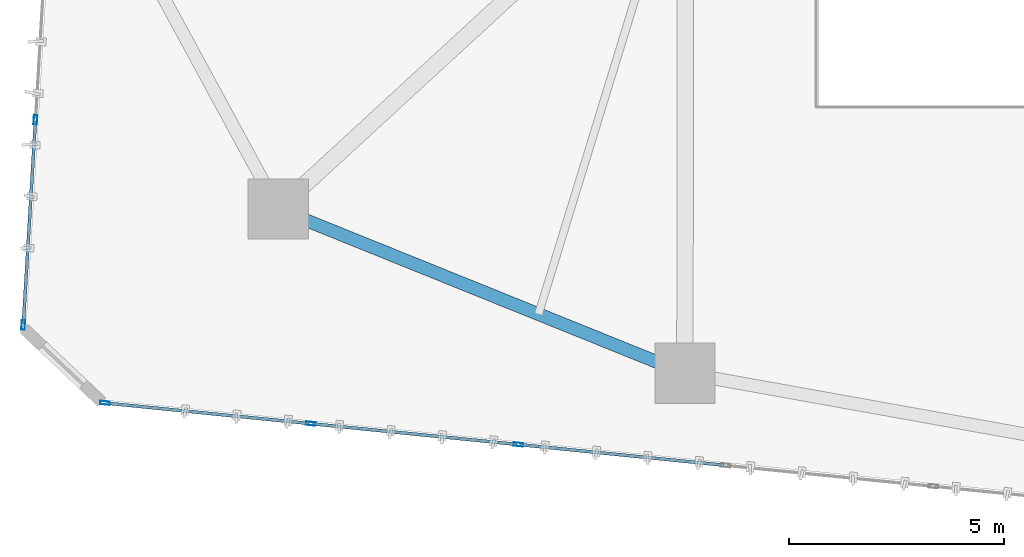
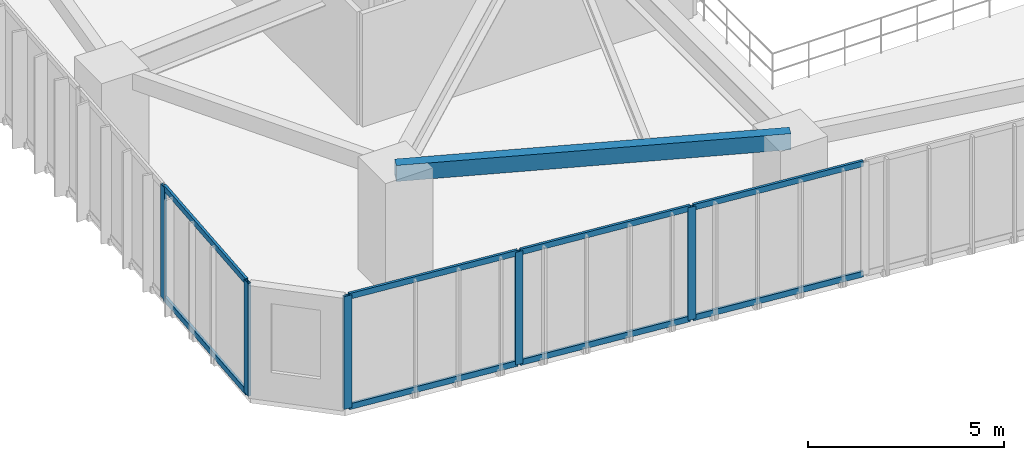
# One storey, part 2 of 24: 13 members, 1 beam, 2 elements without a shape of their own.
"""IFC4 building model written with IfcOpenShell, lengths in metres."""

import ifcopenshell
import ifcopenshell.guid

model = None  # the IFC model being written
_history = None  # IfcOwnerHistory: only IFC2X3 demands one
_inside = {}  # id of a spatial element -> (the spatial element, [elements in it])
_under = {}  # id of a project, library or spatial element -> (it, [spatial elements below it])
_declared = {}  # id of a project -> (the project, [libraries it declares])
_typed = {}  # id of a type object -> (the type object, [elements of that type])
_made_of = {}  # id of a material, layer set ... -> (it, [elements and type objects made of it])


def new_model(schema):
    """Start an empty IFC model of exactly this schema.

    Asked for "IFC4X3", IfcOpenShell would pick the latest addendum, in which some entities
    have other attributes; the version numbers below select the first issue.
    IFC2X3 requires an IfcOwnerHistory on every rooted entity: one is made here for all.
    """
    global model, _history
    if schema == "IFC4X3":
        model = ifcopenshell.file(schema_version=(4, 3, 0, 0))
    else:
        model = ifcopenshell.file(schema=schema)
    _inside.clear()
    _under.clear()
    _declared.clear()
    _typed.clear()
    _made_of.clear()
    _history = None
    if model.schema == "IFC2X3":
        org = make("IfcOrganization", Name="unknown")
        user = make(
            "IfcPersonAndOrganization",
            ThePerson=make("IfcPerson", FamilyName="unknown"),
            TheOrganization=org,
        )
        app = make(
            "IfcApplication",
            ApplicationDeveloper=org,
            Version="unknown",
            ApplicationFullName="unknown",
            ApplicationIdentifier="unknown",
        )
        _history = make(
            "IfcOwnerHistory",
            OwningUser=user,
            OwningApplication=app,
            ChangeAction="ADDED",
            CreationDate=0,
        )
    return model


def make(cls, **values):
    """One entity of the class cls with the attributes given. An attribute that is None is left unset."""
    return model.create_entity(
        cls, **{name: value for name, value in values.items() if value is not None}
    )


def rooted(cls, **values):
    """An entity with a GlobalId (a new one), such as an element, a storey or a relation."""
    return make(cls, GlobalId=ifcopenshell.guid.new(), OwnerHistory=_history, **values)


def si_unit(unit_type, name, prefix=None):
    """IfcSIUnit, for example si_unit("LENGTHUNIT", "METRE", prefix="MILLI")."""
    return make("IfcSIUnit", UnitType=unit_type, Prefix=prefix, Name=name)


def assignment(units):
    """IfcUnitAssignment: the units of a project."""
    return None if units is None else make("IfcUnitAssignment", Units=units)


def point(xyz):
    """IfcCartesianPoint."""
    return None if xyz is None else make("IfcCartesianPoint", Coordinates=xyz)


def direction(xyz):
    """IfcDirection."""
    return None if xyz is None else make("IfcDirection", DirectionRatios=xyz)


def frame(location, z_axis=None, x_axis=None):
    """IfcAxis2Placement3D, a coordinate frame: its origin and axes. An axis left out is left unset."""
    return make(
        "IfcAxis2Placement3D",
        Location=point(location),
        Axis=direction(z_axis),
        RefDirection=direction(x_axis),
    )


def frame_2d(location, x_axis=None):
    """IfcAxis2Placement2D, a coordinate frame in the plane: its origin and x axis."""
    return make(
        "IfcAxis2Placement2D", Location=point(location), RefDirection=direction(x_axis)
    )


def origin():
    """The frame at (0, 0, 0) with its axes left unset."""
    return frame((0.0, 0.0, 0.0))


def origin_2d():
    """The frame at (0, 0) in the plane with its x axis left unset."""
    return frame_2d((0.0, 0.0))


def place(relative_to, where):
    """IfcLocalPlacement: puts the frame where relative to a parent placement (None: the world)."""
    return make(
        "IfcLocalPlacement", PlacementRelTo=relative_to, RelativePlacement=where
    )


def context(
    kind, dimensions, precision=None, world=None, true_north=None, identifier=None
):
    """IfcGeometricRepresentationContext, for example the 3D "Model" context."""
    return make(
        "IfcGeometricRepresentationContext",
        ContextIdentifier=identifier,
        ContextType=kind,
        CoordinateSpaceDimension=dimensions,
        Precision=precision,
        WorldCoordinateSystem=world,
        TrueNorth=true_north,
    )


def subcontext(parent, identifier, kind, view, scale=None):
    """IfcGeometricRepresentationSubContext, for example "Body" below "Model"."""
    return make(
        "IfcGeometricRepresentationSubContext",
        ContextIdentifier=identifier,
        ContextType=kind,
        ParentContext=parent,
        TargetScale=scale,
        TargetView=view,
    )


def project(units=None, contexts=None):
    """IfcProject with its units and contexts."""
    return rooted(
        "IfcProject",
        Name="project",
        RepresentationContexts=contexts,
        UnitsInContext=assignment(units),
    )


def spatial(cls, under=None, at=None, **own):
    """A site, building, storey or space (cls), placed at a placement, below another one or the project."""
    s = rooted(cls, ObjectPlacement=at, **own)
    if under is not None:
        _under.setdefault(under.id(), (under, []))[1].append(s)
    return s


def profile(cls, at=None, kind="AREA", **sizes):
    """A parametric profile (cls). Its sizes go by their IFC names, for example OverallWidth=200.0."""
    return make(cls, ProfileType=kind, Position=at, **sizes)


def hollow_rectangle(**sizes):
    """IfcRectangleHollowProfileDef."""
    return profile("IfcRectangleHollowProfileDef", **sizes)


def extrude(swept, where, along, depth):
    """IfcExtrudedAreaSolid: the profile swept, set in the frame where, extruded along a direction by depth."""
    return make(
        "IfcExtrudedAreaSolid",
        SweptArea=swept,
        Position=where,
        ExtrudedDirection=direction(along),
        Depth=depth,
    )


def shape(context_of_items, identifier, shape_type, items):
    """IfcShapeRepresentation: the items that make up one representation, for example the "Body"."""
    return make(
        "IfcShapeRepresentation",
        ContextOfItems=context_of_items,
        RepresentationIdentifier=identifier,
        RepresentationType=shape_type,
        Items=items,
    )


def source(mapping_origin, context_of_items, identifier, shape_type, items):
    """IfcRepresentationMap: a shape defined once, which mapped items show again and again."""
    return make(
        "IfcRepresentationMap",
        MappingOrigin=mapping_origin,
        MappedRepresentation=shape(context_of_items, identifier, shape_type, items),
    )


def transform(
    local_origin,
    x_axis=None,
    y_axis=None,
    z_axis=None,
    scale=None,
    scale2=None,
    scale3=None,
    uniform=True,
):
    """IfcCartesianTransformationOperator3D, or its non-uniform kind. x_axis, y_axis, z_axis: its Axis1, 2, 3."""
    if uniform:
        return make(
            "IfcCartesianTransformationOperator3D",
            Axis1=direction(x_axis),
            Axis2=direction(y_axis),
            LocalOrigin=point(local_origin),
            Scale=scale,
            Axis3=direction(z_axis),
        )
    return make(
        "IfcCartesianTransformationOperator3DnonUniform",
        Axis1=direction(x_axis),
        Axis2=direction(y_axis),
        LocalOrigin=point(local_origin),
        Scale=scale,
        Axis3=direction(z_axis),
        Scale2=scale2,
        Scale3=scale3,
    )


def mapped(mapping_source, mapping_target):
    """IfcMappedItem: shows the shape of a source again, moved by a transform."""
    return make(
        "IfcMappedItem", MappingSource=mapping_source, MappingTarget=mapping_target
    )


def material(Name=None, Category=None):
    """IfcMaterial."""
    return make("IfcMaterial", Name=Name, Category=Category)


def layer(
    of_material, thickness, ventilated=None, Name=None, Category=None, Priority=None
):
    """IfcMaterialLayer: one layer of a wall or slab, of a material (None: an air gap)."""
    return make(
        "IfcMaterialLayer",
        Material=of_material,
        LayerThickness=thickness,
        IsVentilated=ventilated,
        Name=Name,
        Category=Category,
        Priority=Priority,
    )


def layer_set(layers, Name=None):
    """IfcMaterialLayerSet."""
    return make("IfcMaterialLayerSet", MaterialLayers=layers, LayerSetName=Name)


def material_profile(
    of_material, cross_section, Name=None, Category=None, Priority=None
):
    """IfcMaterialProfile: a cross section and its material."""
    return make(
        "IfcMaterialProfile",
        Name=Name,
        Material=of_material,
        Profile=cross_section,
        Priority=Priority,
        Category=Category,
    )


def profile_set(profiles, Name=None, composite=None):
    """IfcMaterialProfileSet."""
    return make(
        "IfcMaterialProfileSet",
        Name=Name,
        MaterialProfiles=profiles,
        CompositeProfile=composite,
    )


def made_of(thing, what):
    """Note that an element or type object is made of a material, layer set ...; save() writes the relation."""
    if what is not None:
        _made_of.setdefault(what.id(), (what, []))[1].append(thing)
    return thing


def type_object(cls, material=None, **own):
    """A type object (cls), such as IfcWallType, which elements share."""
    return made_of(rooted(cls, **own), material)


def type_shapes(of_type, sources):
    """Give a type object the sources (RepresentationMaps) that its elements show as mapped items."""
    of_type.RepresentationMaps = sources


def element(
    cls,
    number,
    at=None,
    inside=None,
    cuts=None,
    type_object=None,
    material=None,
    context=None,
    identifier="Body",
    shape_type=None,
    held_by="IfcProductDefinitionShape",
    body=None,
    shapes=None,
    **own,
):
    """One element of the class cls, such as IfcWall. Its Tag is "e" and its number.

    at: its placement. inside: the storey or other place that contains it. cuts: it is an
    opening in that element (IfcRelVoidsElement). A single representation is given by context,
    identifier, shape_type and body (its items); several are given by shapes. held_by: the class
    of the entity that holds the representations. save() writes the other relations.
    """
    e = rooted(cls, Tag="e%d" % number, ObjectPlacement=at, **own)
    if body is not None:
        shapes = [shape(context, identifier, shape_type, body)]
    if shapes is not None:
        e.Representation = make(held_by, Representations=shapes)
    if inside is not None:
        _inside.setdefault(inside.id(), (inside, []))[1].append(e)
    if cuts is not None:
        rooted(
            "IfcRelVoidsElement", RelatingBuildingElement=cuts, RelatedOpeningElement=e
        )
    if type_object is not None:
        _typed.setdefault(type_object.id(), (type_object, []))[1].append(e)
    return made_of(e, material)


def aggregate(whole, parts):
    """IfcRelAggregates: a whole, such as a stair, and the parts it consists of."""
    return rooted("IfcRelAggregates", RelatingObject=whole, RelatedObjects=parts)


def save(model, path):
    """Write the relations noted so far, then the file.

    IfcRelAggregates (storeys below a building ...), IfcRelContainedInSpatialStructure (elements
    in a storey), IfcRelDefinesByType, IfcRelAssociatesMaterial and IfcRelDeclares: one each for
    every whole, place, type object, material and project.
    """
    for whole, parts in _under.values():
        aggregate(whole, parts)
    for where, things in _inside.values():
        rooted(
            "IfcRelContainedInSpatialStructure",
            RelatedElements=things,
            RelatingStructure=where,
        )
    for kind, things in _typed.values():
        rooted("IfcRelDefinesByType", RelatedObjects=things, RelatingType=kind)
    for what, things in _made_of.values():
        rooted("IfcRelAssociatesMaterial", RelatedObjects=things, RelatingMaterial=what)
    for by, libraries in _declared.values():
        rooted("IfcRelDeclares", RelatingContext=by, RelatedDefinitions=libraries)
    model.write(path)


model = new_model("IFC4")

# Units and contexts
model_context = context("Model", 3, precision=1e-05, world=origin(), true_north=direction((0.0, 1.0)))
body_context = subcontext(model_context, "Body", "Model", "MODEL_VIEW")
ifc_project = project(units=[si_unit("LENGTHUNIT", "METRE"), si_unit("AREAUNIT", "SQUARE_METRE"), si_unit("VOLUMEUNIT", "CUBIC_METRE"), si_unit("PLANEANGLEUNIT", "RADIAN"), si_unit("MASSUNIT", "GRAM", prefix="KILO")], contexts=[model_context])

# Site, building, storey
site_placement = place(None, origin())
site = spatial("IfcSite", under=ifc_project, at=site_placement, CompositionType="ELEMENT")
building_placement = place(site_placement, origin())
building = spatial("IfcBuilding", under=site, at=building_placement, Name="Talar Marvaseh", CompositionType="ELEMENT")
storey_placement = place(building_placement, frame((0.0, 0.0, 73.39990234375)))
storey = spatial("IfcBuildingStorey", under=building, at=storey_placement, Name="L18", CompositionType="ELEMENT", Elevation=73.39990234375)

# Beam
ifc_material_1 = material(Name="Steel S355", Category="steel")
ifc_material_profile_1 = material_profile(ifc_material_1, hollow_rectangle(XDim=0.300048828125, YDim=0.5, WallThickness=0.02001953125, at=origin_2d()), Name="RHS500x300x20")
ifc_profile_set_1 = profile_set([ifc_material_profile_1], Name="Steel S355")
beam_type = type_object("IfcBeamType", Name="Zone 1 Perimeter Spandrel Beam RHS500x300x20", PredefinedType="SPANDREL", material=ifc_profile_set_1)
beam_placement = place(storey_placement, frame((18.68310546875, 12.97900390625, 3.27001953125), z_axis=(-0.927239278118, 0.374469386084, 0.0), x_axis=(-0.374469386084, -0.927239278118, 0.0)))
element("IfcBeam", 1, at=beam_placement, inside=storey, type_object=beam_type, Name="L18 Zone 1 Perimeter Spandrel Beam RHS500x300x20", PredefinedType="SPANDREL", context=body_context, shape_type="SweptSolid", body=[
    extrude(hollow_rectangle(XDim=0.300048828125, YDim=0.5, WallThickness=0.02001953125, at=origin_2d()), origin(), (0.0, 0.0, 1.0), 10.19287109375),
])

# Curtain wall, members
ifc_material_2 = material(Name="Architectural Aluminium", Category="aluminium")
ifc_layer = layer(ifc_material_2, 0.219970703125)
ifc_layer_set = layer_set([ifc_layer], Name="Architectural Aluminium")
curtain_wall_type = type_object("IfcCurtainWallType", Name="Unitised Low-E Museum Curtain Wall Z1", PredefinedType="NOTDEFINED", material=ifc_layer_set)
curtain_wall_1_placement = place(storey_placement, origin())
curtain_wall_1 = element("IfcCurtainWall", 2, at=curtain_wall_1_placement, inside=storey, type_object=curtain_wall_type, Name="L18 Unitised Low-E Museum Curtain Wall Z1", PredefinedType="NOTDEFINED")
ifc_material_profile_2 = material_profile(ifc_material_2, hollow_rectangle(XDim=0.080078125, YDim=0.219970703125, WallThickness=0.0048828125, at=origin_2d()), Name="RHS220x80x5")
ifc_profile_set_2 = profile_set([ifc_material_profile_2], Name="Architectural Aluminium")
member_type_1 = type_object("IfcMemberType", Name="Unitised Curtain Wall Heavy Mullion RHS220x80x5", PredefinedType="MULLION", material=ifc_profile_set_2)
shared_shape_1 = source(origin(), body_context, "Body", "SweptSolid", [
    extrude(hollow_rectangle(XDim=0.080078125, YDim=0.219970703125, WallThickness=0.0048828125, at=origin_2d()), origin(), (0.0, 0.0, 1.0), 3.52001953125),
])
type_shapes(member_type_1, [shared_shape_1])
member_1_placement = place(storey_placement, frame((3.309814453125, 14.101318359375, 0.0), z_axis=(0.0, 0.0, 1.0), x_axis=(-0.99823587745, 0.059372830241, 0.0)))
member_1 = element("IfcMember", 3, at=member_1_placement, type_object=member_type_1, Name="CW-Z1 mullion 1", PredefinedType="MULLION", context=body_context, shape_type="MappedRepresentation", body=[
    mapped(shared_shape_1, transform((0.0, 0.0, 0.0), x_axis=(1.0, 0.0, 0.0), y_axis=(0.0, 1.0, 0.0), z_axis=(0.0, 0.0, 1.0), scale=1.0)),
])
member_2_placement = place(storey_placement, frame((3.593505859375, 18.869384765625, 0.0), z_axis=(0.0, 0.0, 1.0), x_axis=(-0.99823587745, 0.059372830241, 0.0)))
member_2 = element("IfcMember", 4, at=member_2_placement, type_object=member_type_1, Name="CW-Z1 mullion 2", PredefinedType="MULLION", context=body_context, shape_type="MappedRepresentation", body=[
    mapped(shared_shape_1, transform((0.0, 0.0, 0.0), x_axis=(1.0, 0.0, 0.0), y_axis=(0.0, 1.0, 0.0), z_axis=(0.0, 0.0, 1.0), scale=1.0)),
])

curtain_wall_2_placement = place(storey_placement, origin())
curtain_wall_2 = element("IfcCurtainWall", 5, at=curtain_wall_2_placement, inside=storey, type_object=curtain_wall_type, Name="L18 Unitised Low-E Museum Curtain Wall Z1", PredefinedType="NOTDEFINED")
member_3_placement = place(storey_placement, frame((14.810546875, 11.32421875, 0.0), z_axis=(0.0, 0.0, 1.0), x_axis=(-0.100034172249, -0.994984002074, 0.0)))
member_3 = element("IfcMember", 6, at=member_3_placement, type_object=member_type_1, Name="CW-Z1 mullion 4", PredefinedType="MULLION", context=body_context, shape_type="MappedRepresentation", body=[
    mapped(shared_shape_1, transform((0.0, 0.0, 0.0), x_axis=(1.0, 0.0, 0.0), y_axis=(0.0, 1.0, 0.0), z_axis=(0.0, 0.0, 1.0), scale=1.0)),
])
member_4_placement = place(storey_placement, frame((9.989501953125, 11.808837890625, 0.0), z_axis=(0.0, 0.0, 1.0), x_axis=(-0.100034172249, -0.994984002074, 0.0)))
member_4 = element("IfcMember", 7, at=member_4_placement, type_object=member_type_1, Name="CW-Z1 mullion 5", PredefinedType="MULLION", context=body_context, shape_type="MappedRepresentation", body=[
    mapped(shared_shape_1, transform((0.0, 0.0, 0.0), x_axis=(1.0, 0.0, 0.0), y_axis=(0.0, 1.0, 0.0), z_axis=(0.0, 0.0, 1.0), scale=1.0)),
])
member_5_placement = place(storey_placement, frame((5.208251953125, 12.28955078125, 0.0), z_axis=(0.0, 0.0, 1.0), x_axis=(-0.100034172249, -0.994984002074, 0.0)))
member_5 = element("IfcMember", 8, at=member_5_placement, type_object=member_type_1, Name="CW-Z1 mullion 6", PredefinedType="MULLION", context=body_context, shape_type="MappedRepresentation", body=[
    mapped(shared_shape_1, transform((0.0, 0.0, 0.0), x_axis=(1.0, 0.0, 0.0), y_axis=(0.0, 1.0, 0.0), z_axis=(0.0, 0.0, 1.0), scale=1.0)),
])

# Member
ifc_material_profile_3 = material_profile(ifc_material_2, hollow_rectangle(XDim=0.074951171875, YDim=0.179931640625, WallThickness=0.0048828125, at=origin_2d()), Name="RHS180x75x5")
ifc_profile_set_3 = profile_set([ifc_material_profile_3], Name="Architectural Aluminium")
member_type_2 = type_object("IfcMemberType", Name="Unitised Curtain Wall Transom RHS180x75x5", PredefinedType="USERDEFINED", material=ifc_profile_set_3)
shared_shape_2 = source(origin(), body_context, "Body", "SweptSolid", [
    extrude(hollow_rectangle(XDim=0.074951171875, YDim=0.179931640625, WallThickness=0.0048828125, at=origin_2d()), origin(), (0.0, 0.0, 1.0), 4.69677734375),
])
member_6_placement = place(storey_placement, frame((3.312255859375, 14.14111328125, 0.03759765625), z_axis=(0.059361909693, 0.99823652692, 0.0), x_axis=(-0.99823652692, 0.059361909693, 0.0)))
member_6 = element("IfcMember", 9, at=member_6_placement, type_object=member_type_2, Name="CW-Z1 transom 1.1", ObjectType="TRANSOM", PredefinedType="USERDEFINED", context=body_context, shape_type="MappedRepresentation", body=[
    mapped(shared_shape_2, transform((0.0, 0.0, 0.0), x_axis=(1.0, 0.0, 0.0), y_axis=(0.0, 1.0, 0.0), z_axis=(0.0, 0.0, 1.0), scale=1.0)),
])

member_7_placement = place(storey_placement, frame((3.312255859375, 14.14111328125, 3.482666015625), z_axis=(0.059361909693, 0.99823652692, 0.0), x_axis=(-0.99823652692, 0.059361909693, 0.0)))
member_7 = element("IfcMember", 10, at=member_7_placement, type_object=member_type_2, Name="CW-Z1 transom 1.2", ObjectType="TRANSOM", PredefinedType="USERDEFINED", context=body_context, shape_type="MappedRepresentation", body=[
    mapped(shared_shape_2, transform((0.0, 0.0, 0.0), x_axis=(1.0, 0.0, 0.0), y_axis=(0.0, 1.0, 0.0), z_axis=(0.0, 0.0, 1.0), scale=1.0)),
])

aggregate(curtain_wall_1, [member_1, member_2, member_6, member_7])

shared_shape_3 = source(origin(), body_context, "Body", "SweptSolid", [
    extrude(hollow_rectangle(XDim=0.074951171875, YDim=0.179931640625, WallThickness=0.0048828125, at=origin_2d()), origin(), (0.0, 0.0, 1.0), 4.725341796875),
])
member_8_placement = place(storey_placement, frame((9.94970703125, 11.81298828125, 0.03759765625), z_axis=(-0.994984875806, 0.100025481336, 0.0), x_axis=(-0.100025481336, -0.994984875806, 0.0)))
member_8 = element("IfcMember", 11, at=member_8_placement, type_object=member_type_2, Name="CW-Z1 transom 5.1", ObjectType="TRANSOM", PredefinedType="USERDEFINED", context=body_context, shape_type="MappedRepresentation", body=[
    mapped(shared_shape_3, transform((0.0, 0.0, 0.0), x_axis=(1.0, 0.0, 0.0), y_axis=(0.0, 1.0, 0.0), z_axis=(0.0, 0.0, 1.0), scale=1.0)),
])

member_9_placement = place(storey_placement, frame((9.94970703125, 11.81298828125, 3.482666015625), z_axis=(-0.994984875806, 0.100025481336, 0.0), x_axis=(-0.100025481336, -0.994984875806, 0.0)))
member_9 = element("IfcMember", 12, at=member_9_placement, type_object=member_type_2, Name="CW-Z1 transom 5.2", ObjectType="TRANSOM", PredefinedType="USERDEFINED", context=body_context, shape_type="MappedRepresentation", body=[
    mapped(shared_shape_3, transform((0.0, 0.0, 0.0), x_axis=(1.0, 0.0, 0.0), y_axis=(0.0, 1.0, 0.0), z_axis=(0.0, 0.0, 1.0), scale=1.0)),
])

shared_shape_4 = source(origin(), body_context, "Body", "SweptSolid", [
    extrude(hollow_rectangle(XDim=0.074951171875, YDim=0.179931640625, WallThickness=0.0048828125, at=origin_2d()), origin(), (0.0, 0.0, 1.0), 4.765380859375),
])
type_shapes(member_type_2, [shared_shape_2, shared_shape_3, shared_shape_4])
member_10_placement = place(storey_placement, frame((19.591796875, 10.843505859375, 0.03759765625), z_axis=(-0.994981746335, 0.100056606281, 0.0), x_axis=(-0.100056606281, -0.994981746335, 0.0)))
member_10 = element("IfcMember", 13, at=member_10_placement, type_object=member_type_2, Name="CW-Z1 transom 3.1", ObjectType="TRANSOM", PredefinedType="USERDEFINED", context=body_context, shape_type="MappedRepresentation", body=[
    mapped(shared_shape_4, transform((0.0, 0.0, 0.0), x_axis=(1.0, 0.0, 0.0), y_axis=(0.0, 1.0, 0.0), z_axis=(0.0, 0.0, 1.0), scale=1.0)),
])

member_11_placement = place(storey_placement, frame((19.591796875, 10.843505859375, 3.482666015625), z_axis=(-0.994981746335, 0.100056606281, 0.0), x_axis=(-0.100056606281, -0.994981746335, 0.0)))
member_11 = element("IfcMember", 14, at=member_11_placement, type_object=member_type_2, Name="CW-Z1 transom 3.2", ObjectType="TRANSOM", PredefinedType="USERDEFINED", context=body_context, shape_type="MappedRepresentation", body=[
    mapped(shared_shape_4, transform((0.0, 0.0, 0.0), x_axis=(1.0, 0.0, 0.0), y_axis=(0.0, 1.0, 0.0), z_axis=(0.0, 0.0, 1.0), scale=1.0)),
])

member_12_placement = place(storey_placement, frame((14.770751953125, 11.328125, 0.03759765625), z_axis=(-0.994981746335, 0.100056606281, 0.0), x_axis=(-0.100056606281, -0.994981746335, 0.0)))
member_12 = element("IfcMember", 15, at=member_12_placement, type_object=member_type_2, Name="CW-Z1 transom 4.1", ObjectType="TRANSOM", PredefinedType="USERDEFINED", context=body_context, shape_type="MappedRepresentation", body=[
    mapped(shared_shape_4, transform((0.0, 0.0, 0.0), x_axis=(1.0, 0.0, 0.0), y_axis=(0.0, 1.0, 0.0), z_axis=(0.0, 0.0, 1.0), scale=1.0)),
])

member_13_placement = place(storey_placement, frame((14.770751953125, 11.328125, 3.482666015625), z_axis=(-0.994981746335, 0.100056606281, 0.0), x_axis=(-0.100056606281, -0.994981746335, 0.0)))
member_13 = element("IfcMember", 16, at=member_13_placement, type_object=member_type_2, Name="CW-Z1 transom 4.2", ObjectType="TRANSOM", PredefinedType="USERDEFINED", context=body_context, shape_type="MappedRepresentation", body=[
    mapped(shared_shape_4, transform((0.0, 0.0, 0.0), x_axis=(1.0, 0.0, 0.0), y_axis=(0.0, 1.0, 0.0), z_axis=(0.0, 0.0, 1.0), scale=1.0)),
])

aggregate(curtain_wall_2, [member_3, member_4, member_5, member_10, member_11, member_12, member_13, member_8, member_9])

save(model, "model.ifc")
